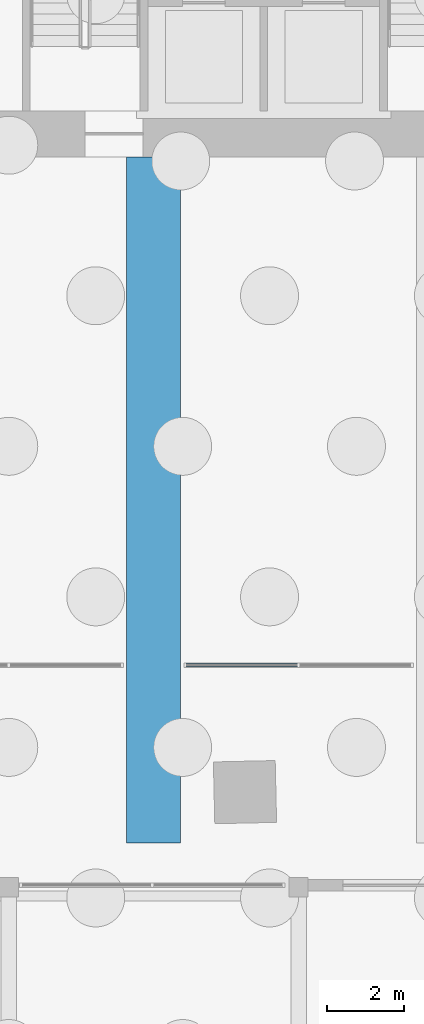
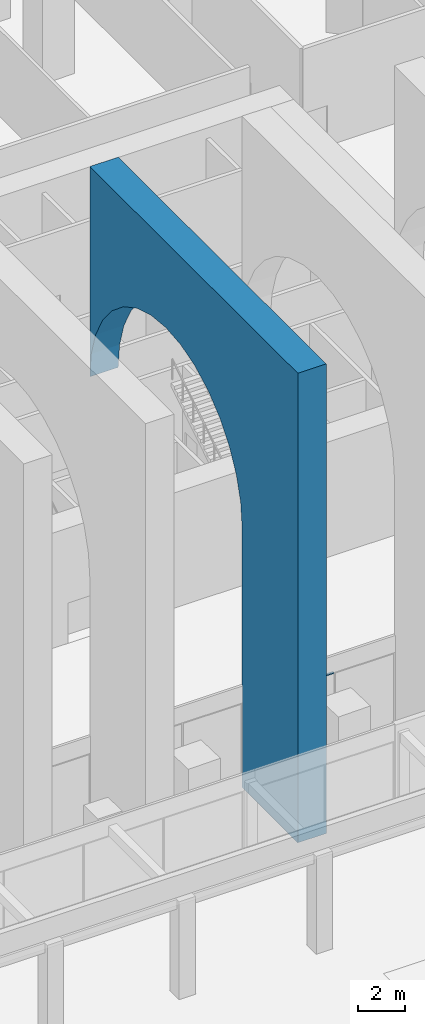
# One storey, part 13 of 46: 2 members, 1 element without a shape of its own.
"""IFC4 building model written with IfcOpenShell, lengths in metres."""

from ifc_helpers import new_model, si_unit, direction, frame, origin, origin_2d, place, context, subcontext, project, spatial, polyline, rectangle, outline, extrude, material, material_profile, profile_set, type_object, element, aggregate, save


model = new_model("IFC4")

# Units and contexts
model_context = context("Model", 3, precision=1e-05, world=origin(), true_north=direction((0.0, 1.0)))
body_context = subcontext(model_context, "Body", "Model", "MODEL_VIEW")
ifc_project = project(units=[si_unit("LENGTHUNIT", "METRE"), si_unit("AREAUNIT", "SQUARE_METRE"), si_unit("VOLUMEUNIT", "CUBIC_METRE"), si_unit("PLANEANGLEUNIT", "RADIAN"), si_unit("MASSUNIT", "GRAM", prefix="KILO")], contexts=[model_context])

# Site, building, storey
site_placement = place(None, origin())
site = spatial("IfcSite", under=ifc_project, at=site_placement, CompositionType="ELEMENT")
building_placement = place(site_placement, origin())
building = spatial("IfcBuilding", under=site, at=building_placement, Name="Mangrove Gate Tower", CompositionType="ELEMENT")
storey_placement = place(building_placement, origin())
storey = spatial("IfcBuildingStorey", under=building, at=storey_placement, Name="L00", CompositionType="ELEMENT", Elevation=0.0)

# Member
ifc_material_1 = material(Name="Concrete C60/75", Category="concrete")
ifc_material_profile_1 = material_profile(ifc_material_1, outline(polyline([(-8.875, 0.0), (-4.125, 0.0), (-4.125, 13.5), (-4.0, 14.76806640625), (-3.6298828125, 15.987060546875), (-3.030029296875, 17.111083984375), (-2.220947265625, 18.095947265625), (-1.236083984375, 18.905029296875), (-0.112060546875, 19.5048828125), (1.10693359375, 19.875), (2.375, 20.0), (3.64306640625, 19.875), (4.862060546875, 19.5048828125), (5.986083984375, 18.905029296875), (6.970947265625, 18.095947265625), (7.780029296875, 17.111083984375), (8.3798828125, 15.987060546875), (8.75, 14.76806640625), (8.875, 13.5), (8.875, 24.449951171875), (-8.875, 24.449951171875), (-8.875, 0.0)])))
ifc_profile_set_1 = profile_set([ifc_material_profile_1], Name="Concrete C60/75")
member_type_1 = type_object("IfcMemberType", Name="Arch frame ARCH FRAME 1400x17750 C60/75", PredefinedType="USERDEFINED", material=ifc_profile_set_1)
member_1_placement = place(storey_placement, frame((-8.199951171875, -20.875, 0.0), z_axis=(1.0, 0.0, 0.0), x_axis=(0.0, 1.0, 0.0)))
element("IfcMember", 1, at=member_1_placement, inside=storey, type_object=member_type_1, Name="Arch frame XM08", ObjectType="ARCH FRAME", PredefinedType="USERDEFINED", context=body_context, shape_type="SweptSolid", body=[
    extrude(outline(polyline([(-8.875, 0.0), (-4.125, 0.0), (-4.125, 13.5), (-4.0, 14.76806640625), (-3.6298828125, 15.987060546875), (-3.030029296875, 17.111083984375), (-2.220947265625, 18.095947265625), (-1.236083984375, 18.905029296875), (-0.112060546875, 19.5048828125), (1.10693359375, 19.875), (2.375, 20.0), (3.64306640625, 19.875), (4.862060546875, 19.5048828125), (5.986083984375, 18.905029296875), (6.970947265625, 18.095947265625), (7.780029296875, 17.111083984375), (8.3798828125, 15.987060546875), (8.75, 14.76806640625), (8.875, 13.5), (8.875, 24.449951171875), (-8.875, 24.449951171875), (-8.875, 0.0)])), origin(), (0.0, 0.0, 1.0), 1.39990234375),
])

# Curtain wall, member
ifc_material_2 = material(Name="Aluminium and glass curtain wall", Category="aluminium")
curtain_wall_type = type_object("IfcCurtainWallType", Name="Podium shopfront glazing wall", PredefinedType="NOTDEFINED", material=ifc_material_2)
curtain_wall_placement = place(storey_placement, origin())
curtain_wall = element("IfcCurtainWall", 2, at=curtain_wall_placement, inside=storey, type_object=curtain_wall_type, Name="Podium shopfront glazing N4015s1", PredefinedType="NOTDEFINED")
ifc_material_3 = material(Name="Aluminium alloy 6063-T6", Category="aluminium")
ifc_material_profile_2 = material_profile(ifc_material_3, rectangle(XDim=0.06005859375, YDim=0.10009765625, at=origin_2d()))
ifc_profile_set_2 = profile_set([ifc_material_profile_2], Name="Aluminium alloy 6063-T6")
member_type_2 = type_object("IfcMemberType", Name="Podium shopfront glazing transom 60x100", PredefinedType="USERDEFINED", material=ifc_profile_set_2)
member_2_placement = place(storey_placement, frame((-3.780029296875, -25.14990234375, 4.5400390625), z_axis=(-1.0, 0.0, 0.0), x_axis=(0.0, 0.0, 1.0)))
member_2 = element("IfcMember", 3, at=member_2_placement, type_object=member_type_2, Name="CWS transom 2.2", ObjectType="TRANSOM", PredefinedType="USERDEFINED", context=body_context, shape_type="SweptSolid", body=[
    extrude(rectangle(XDim=0.06005859375, YDim=0.10009765625, at=origin_2d()), origin(), (0.0, 0.0, 1.0), 2.8798828125),
])
aggregate(curtain_wall, [member_2])

save(model, "model.ifc")
